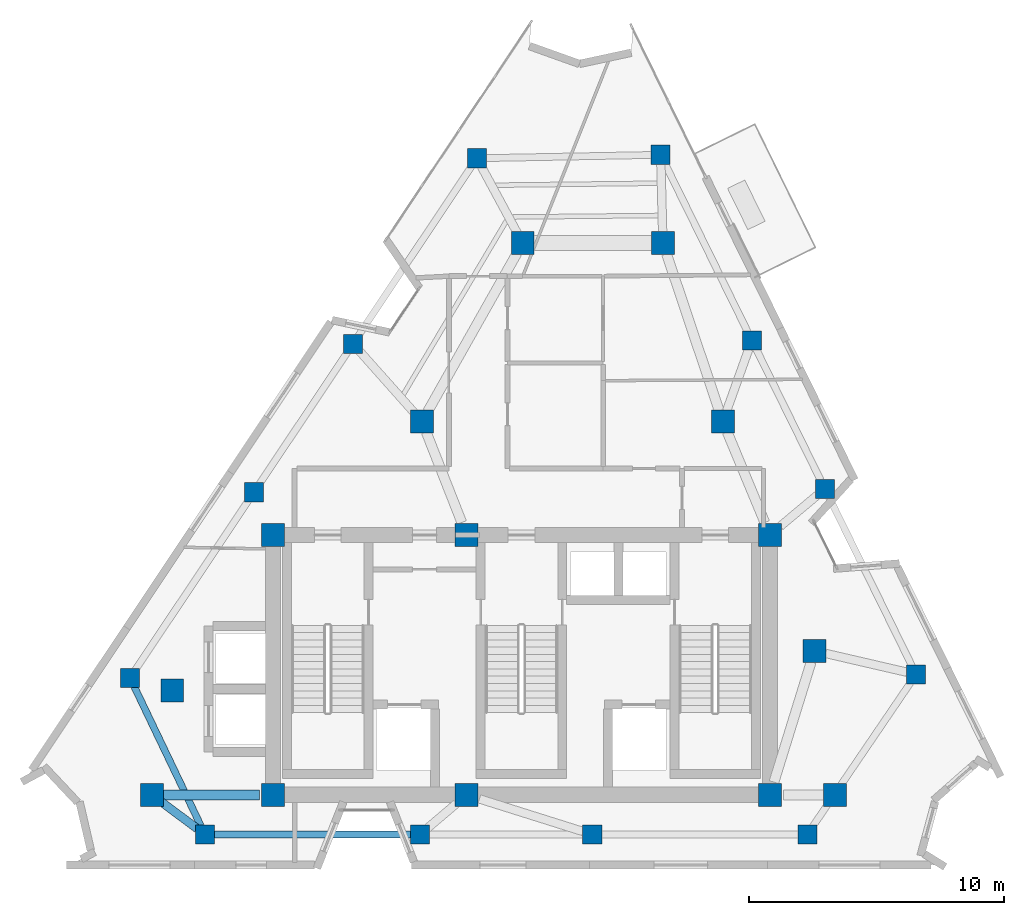
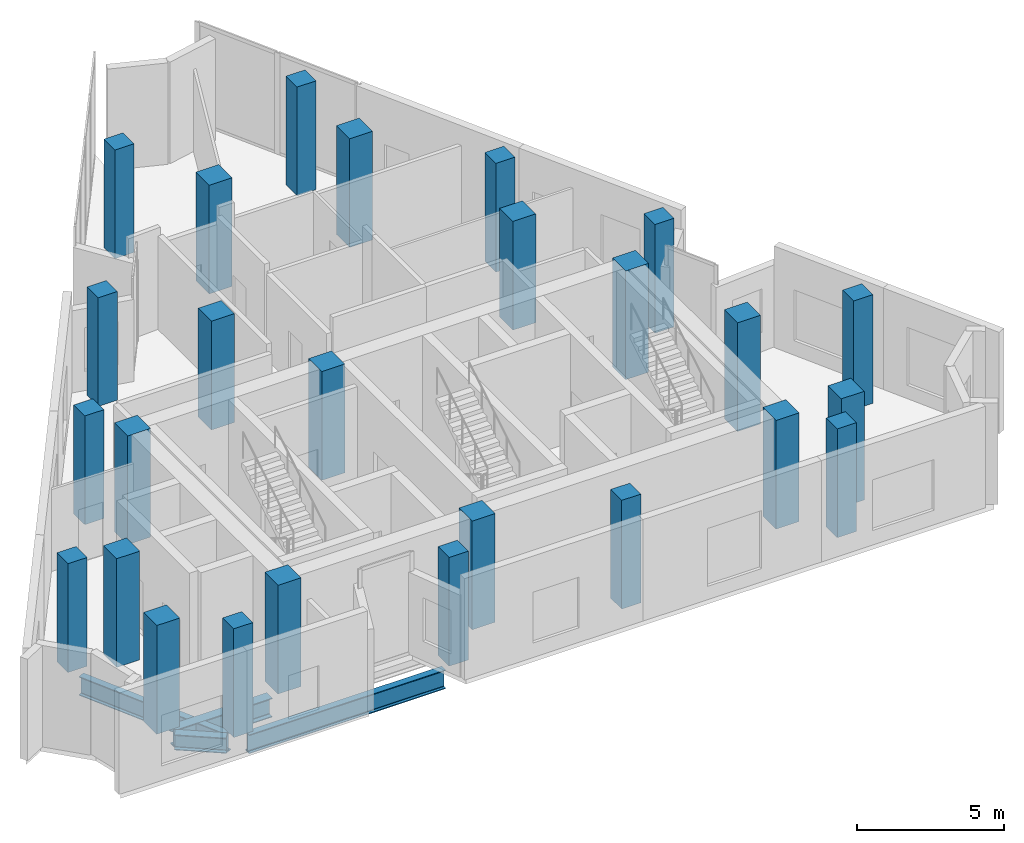
# One storey, part 1 of 9: 26 columns, 4 beams.
"""IFC4 building model written with IfcOpenShell, lengths in metres."""

import ifcopenshell
import ifcopenshell.guid

model = None  # the IFC model being written
_history = None  # IfcOwnerHistory: only IFC2X3 demands one
_inside = {}  # id of a spatial element -> (the spatial element, [elements in it])
_under = {}  # id of a project, library or spatial element -> (it, [spatial elements below it])
_declared = {}  # id of a project -> (the project, [libraries it declares])
_typed = {}  # id of a type object -> (the type object, [elements of that type])
_made_of = {}  # id of a material, layer set ... -> (it, [elements and type objects made of it])


def new_model(schema):
    """Start an empty IFC model of exactly this schema.

    Asked for "IFC4X3", IfcOpenShell would pick the latest addendum, in which some entities
    have other attributes; the version numbers below select the first issue.
    IFC2X3 requires an IfcOwnerHistory on every rooted entity: one is made here for all.
    """
    global model, _history
    if schema == "IFC4X3":
        model = ifcopenshell.file(schema_version=(4, 3, 0, 0))
    else:
        model = ifcopenshell.file(schema=schema)
    _inside.clear()
    _under.clear()
    _declared.clear()
    _typed.clear()
    _made_of.clear()
    _history = None
    if model.schema == "IFC2X3":
        org = make("IfcOrganization", Name="unknown")
        user = make(
            "IfcPersonAndOrganization",
            ThePerson=make("IfcPerson", FamilyName="unknown"),
            TheOrganization=org,
        )
        app = make(
            "IfcApplication",
            ApplicationDeveloper=org,
            Version="unknown",
            ApplicationFullName="unknown",
            ApplicationIdentifier="unknown",
        )
        _history = make(
            "IfcOwnerHistory",
            OwningUser=user,
            OwningApplication=app,
            ChangeAction="ADDED",
            CreationDate=0,
        )
    return model


def make(cls, **values):
    """One entity of the class cls with the attributes given. An attribute that is None is left unset."""
    return model.create_entity(
        cls, **{name: value for name, value in values.items() if value is not None}
    )


def rooted(cls, **values):
    """An entity with a GlobalId (a new one), such as an element, a storey or a relation."""
    return make(cls, GlobalId=ifcopenshell.guid.new(), OwnerHistory=_history, **values)


def si_unit(unit_type, name, prefix=None):
    """IfcSIUnit, for example si_unit("LENGTHUNIT", "METRE", prefix="MILLI")."""
    return make("IfcSIUnit", UnitType=unit_type, Prefix=prefix, Name=name)


def assignment(units):
    """IfcUnitAssignment: the units of a project."""
    return None if units is None else make("IfcUnitAssignment", Units=units)


def point(xyz):
    """IfcCartesianPoint."""
    return None if xyz is None else make("IfcCartesianPoint", Coordinates=xyz)


def direction(xyz):
    """IfcDirection."""
    return None if xyz is None else make("IfcDirection", DirectionRatios=xyz)


def frame(location, z_axis=None, x_axis=None):
    """IfcAxis2Placement3D, a coordinate frame: its origin and axes. An axis left out is left unset."""
    return make(
        "IfcAxis2Placement3D",
        Location=point(location),
        Axis=direction(z_axis),
        RefDirection=direction(x_axis),
    )


def frame_2d(location, x_axis=None):
    """IfcAxis2Placement2D, a coordinate frame in the plane: its origin and x axis."""
    return make(
        "IfcAxis2Placement2D", Location=point(location), RefDirection=direction(x_axis)
    )


def origin():
    """The frame at (0, 0, 0) with its axes left unset."""
    return frame((0.0, 0.0, 0.0))


def origin_2d():
    """The frame at (0, 0) in the plane with its x axis left unset."""
    return frame_2d((0.0, 0.0))


def place(relative_to, where):
    """IfcLocalPlacement: puts the frame where relative to a parent placement (None: the world)."""
    return make(
        "IfcLocalPlacement", PlacementRelTo=relative_to, RelativePlacement=where
    )


def context(
    kind, dimensions, precision=None, world=None, true_north=None, identifier=None
):
    """IfcGeometricRepresentationContext, for example the 3D "Model" context."""
    return make(
        "IfcGeometricRepresentationContext",
        ContextIdentifier=identifier,
        ContextType=kind,
        CoordinateSpaceDimension=dimensions,
        Precision=precision,
        WorldCoordinateSystem=world,
        TrueNorth=true_north,
    )


def subcontext(parent, identifier, kind, view, scale=None):
    """IfcGeometricRepresentationSubContext, for example "Body" below "Model"."""
    return make(
        "IfcGeometricRepresentationSubContext",
        ContextIdentifier=identifier,
        ContextType=kind,
        ParentContext=parent,
        TargetScale=scale,
        TargetView=view,
    )


def project(units=None, contexts=None):
    """IfcProject with its units and contexts."""
    return rooted(
        "IfcProject",
        Name="project",
        RepresentationContexts=contexts,
        UnitsInContext=assignment(units),
    )


def spatial(cls, under=None, at=None, **own):
    """A site, building, storey or space (cls), placed at a placement, below another one or the project."""
    s = rooted(cls, ObjectPlacement=at, **own)
    if under is not None:
        _under.setdefault(under.id(), (under, []))[1].append(s)
    return s


def profile(cls, at=None, kind="AREA", **sizes):
    """A parametric profile (cls). Its sizes go by their IFC names, for example OverallWidth=200.0."""
    return make(cls, ProfileType=kind, Position=at, **sizes)


def rectangle(**sizes):
    """IfcRectangleProfileDef."""
    return profile("IfcRectangleProfileDef", **sizes)


def i_section(**sizes):
    """IfcIShapeProfileDef."""
    return profile("IfcIShapeProfileDef", **sizes)


def extrude(swept, where, along, depth):
    """IfcExtrudedAreaSolid: the profile swept, set in the frame where, extruded along a direction by depth."""
    return make(
        "IfcExtrudedAreaSolid",
        SweptArea=swept,
        Position=where,
        ExtrudedDirection=direction(along),
        Depth=depth,
    )


def shape(context_of_items, identifier, shape_type, items):
    """IfcShapeRepresentation: the items that make up one representation, for example the "Body"."""
    return make(
        "IfcShapeRepresentation",
        ContextOfItems=context_of_items,
        RepresentationIdentifier=identifier,
        RepresentationType=shape_type,
        Items=items,
    )


def material(Name=None, Category=None):
    """IfcMaterial."""
    return make("IfcMaterial", Name=Name, Category=Category)


def material_profile(
    of_material, cross_section, Name=None, Category=None, Priority=None
):
    """IfcMaterialProfile: a cross section and its material."""
    return make(
        "IfcMaterialProfile",
        Name=Name,
        Material=of_material,
        Profile=cross_section,
        Priority=Priority,
        Category=Category,
    )


def profile_set(profiles, Name=None, composite=None):
    """IfcMaterialProfileSet."""
    return make(
        "IfcMaterialProfileSet",
        Name=Name,
        MaterialProfiles=profiles,
        CompositeProfile=composite,
    )


def made_of(thing, what):
    """Note that an element or type object is made of a material, layer set ...; save() writes the relation."""
    if what is not None:
        _made_of.setdefault(what.id(), (what, []))[1].append(thing)
    return thing


def type_object(cls, material=None, **own):
    """A type object (cls), such as IfcWallType, which elements share."""
    return made_of(rooted(cls, **own), material)


def element(
    cls,
    number,
    at=None,
    inside=None,
    cuts=None,
    type_object=None,
    material=None,
    context=None,
    identifier="Body",
    shape_type=None,
    held_by="IfcProductDefinitionShape",
    body=None,
    shapes=None,
    **own,
):
    """One element of the class cls, such as IfcWall. Its Tag is "e" and its number.

    at: its placement. inside: the storey or other place that contains it. cuts: it is an
    opening in that element (IfcRelVoidsElement). A single representation is given by context,
    identifier, shape_type and body (its items); several are given by shapes. held_by: the class
    of the entity that holds the representations. save() writes the other relations.
    """
    e = rooted(cls, Tag="e%d" % number, ObjectPlacement=at, **own)
    if body is not None:
        shapes = [shape(context, identifier, shape_type, body)]
    if shapes is not None:
        e.Representation = make(held_by, Representations=shapes)
    if inside is not None:
        _inside.setdefault(inside.id(), (inside, []))[1].append(e)
    if cuts is not None:
        rooted(
            "IfcRelVoidsElement", RelatingBuildingElement=cuts, RelatedOpeningElement=e
        )
    if type_object is not None:
        _typed.setdefault(type_object.id(), (type_object, []))[1].append(e)
    return made_of(e, material)


def aggregate(whole, parts):
    """IfcRelAggregates: a whole, such as a stair, and the parts it consists of."""
    return rooted("IfcRelAggregates", RelatingObject=whole, RelatedObjects=parts)


def save(model, path):
    """Write the relations noted so far, then the file.

    IfcRelAggregates (storeys below a building ...), IfcRelContainedInSpatialStructure (elements
    in a storey), IfcRelDefinesByType, IfcRelAssociatesMaterial and IfcRelDeclares: one each for
    every whole, place, type object, material and project.
    """
    for whole, parts in _under.values():
        aggregate(whole, parts)
    for where, things in _inside.values():
        rooted(
            "IfcRelContainedInSpatialStructure",
            RelatedElements=things,
            RelatingStructure=where,
        )
    for kind, things in _typed.values():
        rooted("IfcRelDefinesByType", RelatedObjects=things, RelatingType=kind)
    for what, things in _made_of.values():
        rooted("IfcRelAssociatesMaterial", RelatedObjects=things, RelatingMaterial=what)
    for by, libraries in _declared.values():
        rooted("IfcRelDeclares", RelatingContext=by, RelatedDefinitions=libraries)
    model.write(path)


model = new_model("IFC4")

# Units and contexts
model_context = context("Model", 3, precision=1e-05, world=origin(), true_north=direction((0.0, 1.0)))
body_context = subcontext(model_context, "Body", "Model", "MODEL_VIEW")
ifc_project = project(units=[si_unit("LENGTHUNIT", "METRE"), si_unit("AREAUNIT", "SQUARE_METRE"), si_unit("VOLUMEUNIT", "CUBIC_METRE"), si_unit("PLANEANGLEUNIT", "RADIAN"), si_unit("MASSUNIT", "GRAM", prefix="KILO")], contexts=[model_context])

# Site, building, storey
site_placement = place(None, origin())
site = spatial("IfcSite", under=ifc_project, at=site_placement, CompositionType="ELEMENT")
building_placement = place(site_placement, origin())
building = spatial("IfcBuilding", under=site, at=building_placement, Name="Almagre Mirador Tower", CompositionType="ELEMENT")
storey_placement = place(building_placement, frame((0.0, 0.0, 289.5)))
storey = spatial("IfcBuildingStorey", under=building, at=storey_placement, Name="L75", CompositionType="ELEMENT", Elevation=289.5)

# Columns
ifc_material_1 = material(Name="Concrete C60/75", Category="concrete")
ifc_material_profile_1 = material_profile(ifc_material_1, rectangle(XDim=0.75, YDim=0.75, at=origin_2d()), Name="RC750X750")
ifc_profile_set_1 = profile_set([ifc_material_profile_1], Name="Concrete C60/75")
column_type_1 = type_object("IfcColumnType", Name="COL-RC750", PredefinedType="COLUMN", material=ifc_profile_set_1)
for number, where, z_axis, x_axis, name in (
    (1, (24.884033203125, 3.0, 0.0), (0.0, 0.0, 1.0), (1.0, 0.0, 0.0), "L75 perimeter column PC01"),
    (2, (33.323974609375, 3.0, 0.0), (0.0, 0.0, 1.0), (1.0, 0.0, 0.0), "L75 perimeter column PC02"),
    (3, (40.075927734375, 3.0, 0.0), (0.0, 0.0, 1.0), (1.0, 0.0, 0.0), "L75 perimeter column PC03"),
    (4, (48.51611328125, 3.0, 0.0), (0.0, 0.0, 1.0), (1.0, 0.0, 0.0), "L75 perimeter column PC04"),
    (5, (52.784912109375, 9.278076171875, 0.0), (0.0, 0.0, 1.0), (1.0, 0.0, 0.0), "L75 perimeter column PC05"),
    (6, (49.205078125, 16.55810546875, 0.0), (0.0, 0.0, 1.0), (1.0, 0.0, 0.0), "L75 perimeter column PC06"),
    (7, (46.341064453125, 22.382080078125, 0.0), (0.0, 0.0, 1.0), (1.0, 0.0, 0.0), "L75 perimeter column PC07"),
    (8, (42.760986328125, 29.662109375, 0.0), (0.0, 0.0, 1.0), (1.0, 0.0, 0.0), "L75 perimeter column PC08"),
    (9, (35.552001953125, 29.52587890625, 0.0), (0.0, 0.0, 1.0), (1.0, 0.0, 0.0), "L75 perimeter column PC09"),
    (10, (30.69189453125, 22.24609375, 0.0), (0.0, 0.0, 1.0), (1.0, 0.0, 0.0), "L75 perimeter column PC10"),
    (11, (26.803955078125, 16.422119140625, 0.0), (0.0, 0.0, 1.0), (1.0, 0.0, 0.0), "L75 perimeter column PC11"),
    (12, (21.944091796875, 9.14208984375, 0.0), (0.0, 0.0, 1.0), (1.0, 0.0, 0.0), "L75 perimeter column PC12"),
):
    element("IfcColumn", number, at=place(storey_placement, frame(where, z_axis=z_axis, x_axis=x_axis)), inside=storey, type_object=column_type_1, Name=name, PredefinedType="COLUMN", context=body_context, shape_type="SweptSolid", body=[
        extrude(rectangle(XDim=0.75, YDim=0.75, at=origin_2d()), origin(), (0.0, 0.0, 1.0), 4.5),
    ])
ifc_material_2 = material(Name="Concrete C60/75", Category="concrete")
ifc_material_profile_2 = material_profile(ifc_material_2, rectangle(XDim=0.89990234375, YDim=0.89990234375, at=origin_2d()), Name="RC900X900")
ifc_profile_set_2 = profile_set([ifc_material_profile_2], Name="Concrete C60/75")
column_type_2 = type_object("IfcColumnType", Name="COL-RC900", PredefinedType="COLUMN", material=ifc_profile_set_2)
for number, where, z_axis, x_axis, name in (
    (13, (27.550048828125, 4.550048828125, 0.0), (0.0, 0.0, 1.0), (1.0, 0.0, 0.0), "L75 core spine column CC1"),
    (14, (35.14990234375, 4.550048828125, 0.0), (0.0, 0.0, 1.0), (1.0, 0.0, 0.0), "L75 core spine column CC2"),
    (15, (47.050048828125, 4.550048828125, 0.0), (0.0, 0.0, 1.0), (1.0, 0.0, 0.0), "L75 core spine column CC3"),
    (16, (27.550048828125, 14.75, 0.0), (0.0, 0.0, 1.0), (1.0, 0.0, 0.0), "L75 core spine column CC4"),
    (17, (35.14990234375, 14.75, 0.0), (0.0, 0.0, 1.0), (1.0, 0.0, 0.0), "L75 core spine column CC5"),
    (18, (47.050048828125, 14.75, 0.0), (0.0, 0.0, 1.0), (1.0, 0.0, 0.0), "L75 core spine column CC6"),
    (19, (22.800048828125, 4.550048828125, 0.0), (0.0, 0.0, 1.0), (1.0, 0.0, 0.0), "L75 interior transfer column MC1"),
    (20, (49.60009765625, 4.550048828125, 0.0), (0.0, 0.0, 1.0), (1.0, 0.0, 0.0), "L75 interior transfer column MC2"),
    (21, (48.800048828125, 10.199951171875, 0.0), (0.0, 0.0, 1.0), (1.0, 0.0, 0.0), "L75 interior transfer column MC3"),
    (22, (45.199951171875, 19.199951171875, 0.0), (0.0, 0.0, 1.0), (1.0, 0.0, 0.0), "L75 interior transfer column MC5"),
    (23, (42.85009765625, 26.199951171875, 0.0), (0.0, 0.0, 1.0), (1.0, 0.0, 0.0), "L75 interior transfer column MC6"),
    (24, (37.35009765625, 26.199951171875, 0.0), (0.0, 0.0, 1.0), (1.0, 0.0, 0.0), "L75 interior transfer column MC7"),
    (25, (33.39990234375, 19.199951171875, 0.0), (0.0, 0.0, 1.0), (1.0, 0.0, 0.0), "L75 interior transfer column MC8"),
    (26, (23.60009765625, 8.64990234375, 0.0), (0.0, 0.0, 1.0), (1.0, 0.0, 0.0), "L75 interior transfer column MC10"),
):
    element("IfcColumn", number, at=place(storey_placement, frame(where, z_axis=z_axis, x_axis=x_axis)), inside=storey, type_object=column_type_2, Name=name, PredefinedType="COLUMN", context=body_context, shape_type="SweptSolid", body=[
        extrude(rectangle(XDim=0.89990234375, YDim=0.89990234375, at=origin_2d()), origin(), (0.0, 0.0, 1.0), 4.5),
    ])

# Beams
ifc_material_3 = material(Name="Steel ASTM A992 Grade 50", Category="steel")
ifc_material_profile_3 = material_profile(ifc_material_3, i_section(OverallWidth=0.26708984375, OverallDepth=0.779052734375, WebThickness=0.0166015625, FlangeThickness=0.030029296875, FilletRadius=0.02392578125, at=origin_2d()), Name="W30X148")
ifc_profile_set_3 = profile_set([ifc_material_profile_3], Name="Steel ASTM A992 Grade 50")
beam_type_1 = type_object("IfcBeamType", Name="BM-SPN-W30X148", PredefinedType="SPANDREL", material=ifc_profile_set_3)
beam_1_placement = place(storey_placement, frame((25.259033203125, 3.0, -0.689453125), z_axis=(1.0, 0.0, 0.0), x_axis=(0.0, 1.0, 0.0)))
element("IfcBeam", 27, at=beam_1_placement, inside=storey, type_object=beam_type_1, Name="L75 perimeter spandrel beam PC01-PC02", PredefinedType="SPANDREL", context=body_context, shape_type="SweptSolid", body=[
    extrude(i_section(OverallWidth=0.26708984375, OverallDepth=0.779052734375, WebThickness=0.0166015625, FlangeThickness=0.030029296875, FilletRadius=0.02392578125, at=origin_2d()), origin(), (0.0, 0.0, 1.0), 7.68994140625),
])
beam_2_placement = place(storey_placement, frame((22.10595703125, 8.8037109375, -0.689453125), z_axis=(0.431756290683, -0.901990302307, 0.0), x_axis=(0.901990302307, 0.431756290683, 0.0)))
element("IfcBeam", 28, at=beam_2_placement, inside=storey, type_object=beam_type_1, Name="L75 perimeter spandrel beam PC12-PC01", PredefinedType="SPANDREL", context=body_context, shape_type="SweptSolid", body=[
    extrude(i_section(OverallWidth=0.26708984375, OverallDepth=0.779052734375, WebThickness=0.0166015625, FlangeThickness=0.030029296875, FilletRadius=0.02392578125, at=origin_2d()), origin(), (0.0, 0.0, 1.0), 6.0595703125),
])
ifc_material_4 = material(Name="Steel ASTM A992 Grade 50", Category="steel")
ifc_material_profile_4 = material_profile(ifc_material_4, i_section(OverallWidth=0.330078125, OverallDepth=0.635009765625, WebThickness=0.017822265625, FlangeThickness=0.031005859375, FilletRadius=0.02001953125, at=origin_2d()), Name="W24X162")
ifc_profile_set_4 = profile_set([ifc_material_profile_4], Name="Steel ASTM A992 Grade 50")
beam_type_2 = type_object("IfcBeamType", Name="BM-STL-W24X162", PredefinedType="BEAM", material=ifc_profile_set_4)
beam_3_placement = place(storey_placement, frame((24.5830078125, 3.223876953125, -0.617431640625), z_axis=(-0.802374373866, 0.596821048693, 0.0), x_axis=(-0.596821048693, -0.802374373866, 0.0)))
element("IfcBeam", 29, at=beam_3_placement, inside=storey, type_object=beam_type_2, Name="L75 radial floor girder PC01-MC1", PredefinedType="BEAM", context=body_context, shape_type="SweptSolid", body=[
    extrude(i_section(OverallWidth=0.330078125, OverallDepth=0.635009765625, WebThickness=0.017822265625, FlangeThickness=0.031005859375, FilletRadius=0.02001953125, at=origin_2d()), origin(), (0.0, 0.0, 1.0), 1.77197265625),
])
ifc_material_5 = material(Name="Steel ASTM A992 Grade 50", Category="steel")
ifc_material_profile_5 = material_profile(ifc_material_5, i_section(OverallWidth=0.384033203125, OverallDepth=0.784912109375, WebThickness=0.019775390625, FlangeThickness=0.033447265625, FilletRadius=0.02392578125, at=origin_2d()), Name="W30X211")
ifc_profile_set_5 = profile_set([ifc_material_profile_5], Name="Steel ASTM A992 Grade 50")
beam_type_3 = type_object("IfcBeamType", Name="BM-STL-W30X211", PredefinedType="BEAM", material=ifc_profile_set_5)
beam_4_placement = place(storey_placement, frame((23.25, 4.550048828125, -0.6923828125), z_axis=(1.0, 0.0, 0.0), x_axis=(0.0, 1.0, 0.0)))
element("IfcBeam", 30, at=beam_4_placement, inside=storey, type_object=beam_type_3, Name="L75 core tie girder MC1-CC1", PredefinedType="BEAM", context=body_context, shape_type="SweptSolid", body=[
    extrude(i_section(OverallWidth=0.384033203125, OverallDepth=0.784912109375, WebThickness=0.019775390625, FlangeThickness=0.033447265625, FilletRadius=0.02392578125, at=origin_2d()), origin(), (0.0, 0.0, 1.0), 3.77490234375),
])

save(model, "model.ifc")
